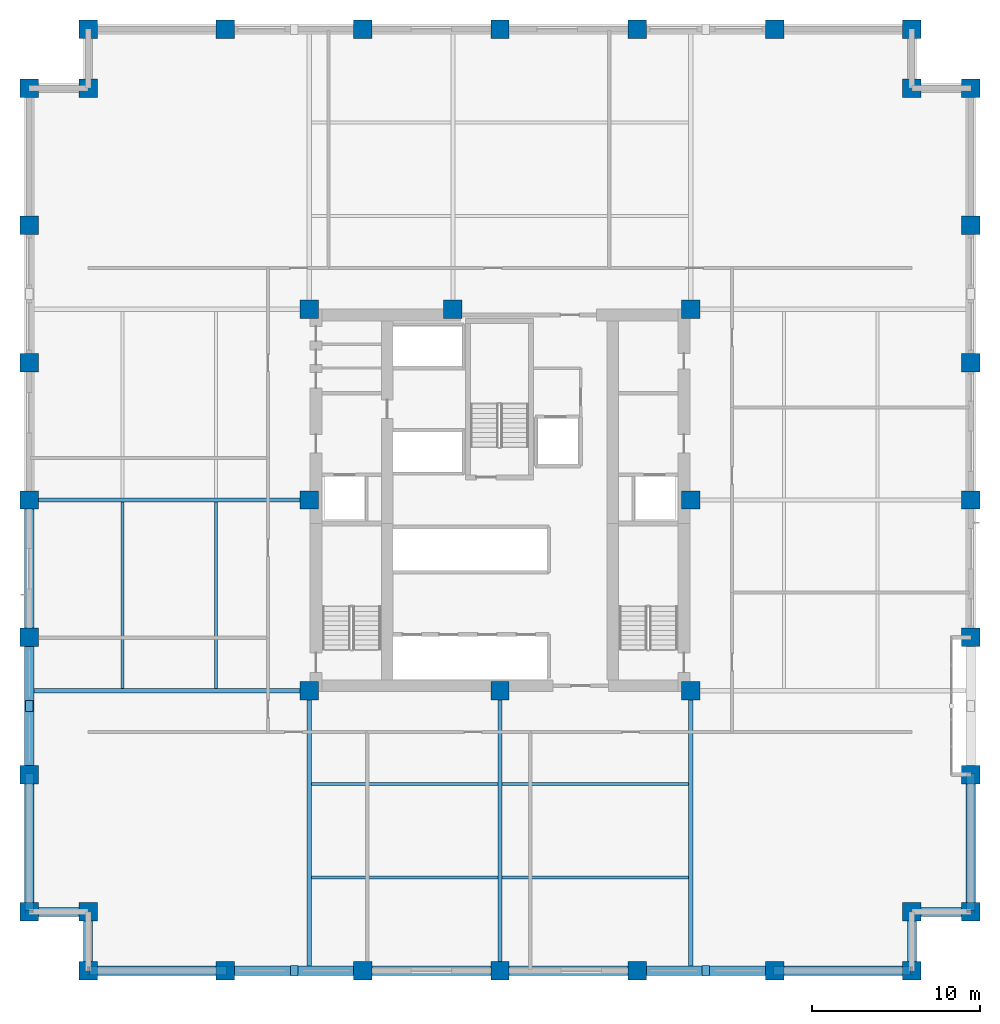
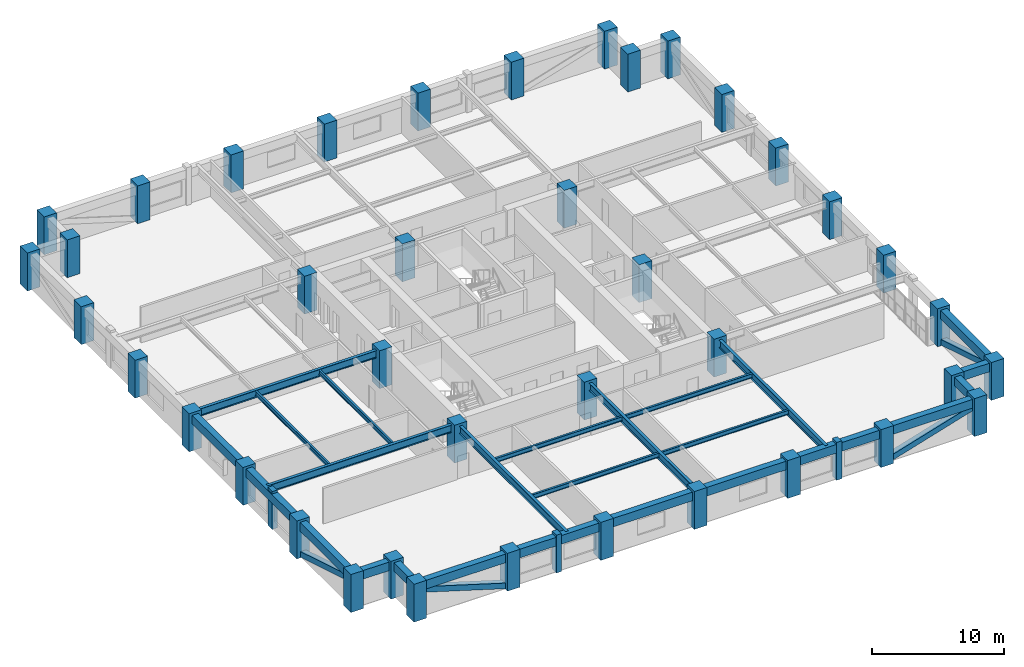
# One storey, part 1 of 13: 40 columns, 25 beams, 7 members.
"""IFC4 building model written with IfcOpenShell, lengths in metres."""

from ifc_helpers import new_model, si_unit, direction, frame, origin, origin_2d, place, context, subcontext, project, spatial, rectangle, hollow_rectangle, i_section, extrude, material, material_profile, profile_set, type_object, element, save


model = new_model("IFC4")

# Units and contexts
model_context = context("Model", 3, precision=1e-05, world=origin(), true_north=direction((0.0, 1.0)))
body_context = subcontext(model_context, "Body", "Model", "MODEL_VIEW")
ifc_project = project(units=[si_unit("LENGTHUNIT", "METRE"), si_unit("AREAUNIT", "SQUARE_METRE"), si_unit("VOLUMEUNIT", "CUBIC_METRE"), si_unit("PLANEANGLEUNIT", "RADIAN"), si_unit("MASSUNIT", "GRAM", prefix="KILO")], contexts=[model_context])

# Site, building, storey
site_placement = place(None, origin())
site = spatial("IfcSite", under=ifc_project, at=site_placement, CompositionType="ELEMENT")
building_placement = place(site_placement, origin())
building = spatial("IfcBuilding", under=site, at=building_placement, Name="Nhamokura Convention Tower", CompositionType="ELEMENT")
storey_placement = place(building_placement, frame((0.0, 0.0, 92.75)))
storey = spatial("IfcBuildingStorey", under=building, at=storey_placement, Name="L22", CompositionType="ELEMENT", Elevation=92.75)

# Columns
ifc_material_1 = material(Name="Concrete C60/75", Category="concrete")
ifc_material_profile_1 = material_profile(ifc_material_1, rectangle(XDim=1.10009765625, YDim=1.10009765625, at=origin_2d()))
ifc_profile_set_1 = profile_set([ifc_material_profile_1], Name="Concrete C60/75")
column_type = type_object("IfcColumnType", Name="TubeColumn_Z1_1100", PredefinedType="COLUMN", material=ifc_profile_set_1)
for number, where, z_axis, x_axis, name in (
    (1, (20.64990234375, 20.64990234375, 0.0), (0.0, 0.0, 1.0), (1.0, 0.0, 0.0), "L22 Core Column CC-SW"),
    (2, (32.0, 20.64990234375, 0.0), (0.0, 0.0, 1.0), (1.0, 0.0, 0.0), "L22 Core Column CC-S"),
    (3, (43.35009765625, 20.64990234375, 0.0), (0.0, 0.0, 1.0), (1.0, 0.0, 0.0), "L22 Core Column CC-SE"),
    (4, (43.35009765625, 32.0, 0.0), (0.0, 0.0, 1.0), (1.0, 0.0, 0.0), "L22 Core Column CC-E"),
    (5, (43.35009765625, 43.35009765625, 0.0), (0.0, 0.0, 1.0), (1.0, 0.0, 0.0), "L22 Core Column CC-NE"),
    (6, (29.199951171875, 43.35009765625, 0.0), (0.0, 0.0, 1.0), (1.0, 0.0, 0.0), "L22 Core Column CC-N"),
    (7, (20.64990234375, 43.35009765625, 0.0), (0.0, 0.0, 1.0), (1.0, 0.0, 0.0), "L22 Core Column CC-NW"),
    (8, (20.64990234375, 32.0, 0.0), (0.0, 0.0, 1.0), (1.0, 0.0, 0.0), "L22 Core Column CC-W"),
    (9, (7.5, 4.0, 0.0), (0.0, 0.0, 1.0), (1.0, 0.0, 0.0), "L22 Perimeter Tube Column SW1"),
    (10, (7.5, 7.5, 0.0), (0.0, 0.0, 1.0), (1.0, 0.0, 0.0), "L22 Perimeter Tube Column SW0"),
    (11, (4.0, 7.5, 0.0), (0.0, 0.0, 1.0), (1.0, 0.0, 0.0), "L22 Perimeter Tube Column SW2"),
    (12, (56.5, 4.0, 0.0), (0.0, 0.0, 1.0), (1.0, 0.0, 0.0), "L22 Perimeter Tube Column SE1"),
    (13, (56.5, 7.5, 0.0), (0.0, 0.0, 1.0), (1.0, 0.0, 0.0), "L22 Perimeter Tube Column SE0"),
    (14, (60.0, 7.5, 0.0), (0.0, 0.0, 1.0), (1.0, 0.0, 0.0), "L22 Perimeter Tube Column SE2"),
    (15, (60.0, 56.5, 0.0), (0.0, 0.0, 1.0), (1.0, 0.0, 0.0), "L22 Perimeter Tube Column NE1"),
    (16, (56.5, 56.5, 0.0), (0.0, 0.0, 1.0), (1.0, 0.0, 0.0), "L22 Perimeter Tube Column NE0"),
    (17, (56.5, 60.0, 0.0), (0.0, 0.0, 1.0), (1.0, 0.0, 0.0), "L22 Perimeter Tube Column NE2"),
    (18, (7.5, 60.0, 0.0), (0.0, 0.0, 1.0), (1.0, 0.0, 0.0), "L22 Perimeter Tube Column NW1"),
    (19, (7.5, 56.5, 0.0), (0.0, 0.0, 1.0), (1.0, 0.0, 0.0), "L22 Perimeter Tube Column NW0"),
    (20, (4.0, 56.5, 0.0), (0.0, 0.0, 1.0), (1.0, 0.0, 0.0), "L22 Perimeter Tube Column NW2"),
    (21, (15.666748046875, 4.0, 0.0), (0.0, 0.0, 1.0), (1.0, 0.0, 0.0), "L22 Perimeter Tube Column S1"),
    (22, (15.666748046875, 60.0, 0.0), (0.0, 0.0, 1.0), (1.0, 0.0, 0.0), "L22 Perimeter Tube Column N1"),
    (23, (4.0, 15.666748046875, 0.0), (0.0, 0.0, 1.0), (1.0, 0.0, 0.0), "L22 Perimeter Tube Column W1"),
    (24, (60.0, 15.666748046875, 0.0), (0.0, 0.0, 1.0), (1.0, 0.0, 0.0), "L22 Perimeter Tube Column E1"),
    (25, (23.833251953125, 4.0, 0.0), (0.0, 0.0, 1.0), (1.0, 0.0, 0.0), "L22 Perimeter Tube Column S2"),
    (26, (23.833251953125, 60.0, 0.0), (0.0, 0.0, 1.0), (1.0, 0.0, 0.0), "L22 Perimeter Tube Column N2"),
    (27, (4.0, 23.833251953125, 0.0), (0.0, 0.0, 1.0), (1.0, 0.0, 0.0), "L22 Perimeter Tube Column W2"),
    (28, (60.0, 23.833251953125, 0.0), (0.0, 0.0, 1.0), (1.0, 0.0, 0.0), "L22 Perimeter Tube Column E2"),
    (29, (32.0, 4.0, 0.0), (0.0, 0.0, 1.0), (1.0, 0.0, 0.0), "L22 Perimeter Tube Column S3"),
    (30, (32.0, 60.0, 0.0), (0.0, 0.0, 1.0), (1.0, 0.0, 0.0), "L22 Perimeter Tube Column N3"),
    (31, (4.0, 32.0, 0.0), (0.0, 0.0, 1.0), (1.0, 0.0, 0.0), "L22 Perimeter Tube Column W3"),
    (32, (60.0, 32.0, 0.0), (0.0, 0.0, 1.0), (1.0, 0.0, 0.0), "L22 Perimeter Tube Column E3"),
    (33, (40.166748046875, 4.0, 0.0), (0.0, 0.0, 1.0), (1.0, 0.0, 0.0), "L22 Perimeter Tube Column S4"),
    (34, (40.166748046875, 60.0, 0.0), (0.0, 0.0, 1.0), (1.0, 0.0, 0.0), "L22 Perimeter Tube Column N4"),
    (35, (4.0, 40.166748046875, 0.0), (0.0, 0.0, 1.0), (1.0, 0.0, 0.0), "L22 Perimeter Tube Column W4"),
    (36, (60.0, 40.166748046875, 0.0), (0.0, 0.0, 1.0), (1.0, 0.0, 0.0), "L22 Perimeter Tube Column E4"),
    (37, (48.333251953125, 4.0, 0.0), (0.0, 0.0, 1.0), (1.0, 0.0, 0.0), "L22 Perimeter Tube Column S5"),
    (38, (48.333251953125, 60.0, 0.0), (0.0, 0.0, 1.0), (1.0, 0.0, 0.0), "L22 Perimeter Tube Column N5"),
    (39, (4.0, 48.333251953125, 0.0), (0.0, 0.0, 1.0), (1.0, 0.0, 0.0), "L22 Perimeter Tube Column W5"),
    (40, (60.0, 48.333251953125, 0.0), (0.0, 0.0, 1.0), (1.0, 0.0, 0.0), "L22 Perimeter Tube Column E5"),
):
    element("IfcColumn", number, at=place(storey_placement, frame(where, z_axis=z_axis, x_axis=x_axis)), inside=storey, type_object=column_type, Name=name, PredefinedType="COLUMN", context=body_context, shape_type="SweptSolid", body=[
        extrude(rectangle(XDim=1.10009765625, YDim=1.10009765625, at=origin_2d()), origin(), (0.0, 0.0, 1.0), 3.5),
    ])

# Members
ifc_material_2 = material(Name="Bronze-pigmented precast concrete C45/55", Category="concrete")
ifc_material_profile_2 = material_profile(ifc_material_2, rectangle(XDim=0.449951171875, YDim=0.64990234375, at=origin_2d()))
ifc_profile_set_2 = profile_set([ifc_material_profile_2], Name="Bronze-pigmented precast concrete C45/55")
member_type_1 = type_object("IfcMemberType", Name="BronzePilaster_650", PredefinedType="USERDEFINED", material=ifc_profile_set_2)
for number, where, z_axis, x_axis, name in (
    (41, (19.75, 4.0, 0.0), (0.0, 0.0, 1.0), (1.0, 0.0, 0.0), "L22 Engaged Frame Pilaster SOUTH 1"),
    (42, (44.25, 4.0, 0.0), (0.0, 0.0, 1.0), (1.0, 0.0, 0.0), "L22 Engaged Frame Pilaster SOUTH 4"),
    (43, (4.0, 19.75, 0.0), (0.0, 0.0, 1.0), (1.0, 0.0, 0.0), "L22 Engaged Frame Pilaster WEST 1"),
):
    element("IfcMember", number, at=place(storey_placement, frame(where, z_axis=z_axis, x_axis=x_axis)), inside=storey, type_object=member_type_1, Name=name, ObjectType="PILASTER_TRIM", PredefinedType="USERDEFINED", context=body_context, shape_type="SweptSolid", body=[
        extrude(rectangle(XDim=0.449951171875, YDim=0.64990234375, at=origin_2d()), origin(), (0.0, 0.0, 1.0), 3.5),
    ])

# Beams
ifc_material_3 = material(Name="Steel ASTM A992 Gr 50", Category="steel")
ifc_material_profile_3 = material_profile(ifc_material_3, i_section(OverallWidth=0.178955078125, OverallDepth=0.409912109375, WebThickness=0.0087890625, FlangeThickness=0.014404296875, at=origin_2d()))
ifc_profile_set_3 = profile_set([ifc_material_profile_3], Name="Steel ASTM A992 Gr 50")
beam_type_1 = type_object("IfcBeamType", Name="FloorJoist_W410X67", PredefinedType="JOIST", material=ifc_profile_set_3)
for number, where, z_axis, x_axis, name in (
    (44, (20.77587890625, 9.550048828125, 3.074951171875), (1.0, 0.0, 0.0), (0.0, 1.0, 0.0), "L22 Composite Floor Joist S1A"),
    (45, (32.1259765625, 9.550048828125, 3.074951171875), (1.0, 0.0, 0.0), (0.0, 1.0, 0.0), "L22 Composite Floor Joist S1B"),
    (46, (20.77587890625, 15.10009765625, 3.074951171875), (1.0, 0.0, 0.0), (0.0, 1.0, 0.0), "L22 Composite Floor Joist S2A"),
    (47, (32.1259765625, 15.10009765625, 3.074951171875), (1.0, 0.0, 0.0), (0.0, 1.0, 0.0), "L22 Composite Floor Joist S2B"),
    (48, (9.550048828125, 20.77587890625, 3.074951171875), (0.0, 1.0, 0.0), (-1.0, 0.0, 0.0), "L22 Composite Floor Joist W1A"),
    (49, (15.10009765625, 20.77587890625, 3.074951171875), (0.0, 1.0, 0.0), (-1.0, 0.0, 0.0), "L22 Composite Floor Joist W2A"),
):
    element("IfcBeam", number, at=place(storey_placement, frame(where, z_axis=z_axis, x_axis=x_axis)), inside=storey, type_object=beam_type_1, Name=name, PredefinedType="JOIST", context=body_context, shape_type="SweptSolid", body=[
        extrude(i_section(OverallWidth=0.178955078125, OverallDepth=0.409912109375, WebThickness=0.0087890625, FlangeThickness=0.014404296875, at=origin_2d()), origin(), (0.0, 0.0, 1.0), 11.09814453125),
    ])
ifc_material_4 = material(Name="Steel ASTM A992 Gr 50", Category="steel")
ifc_material_profile_4 = material_profile(ifc_material_4, i_section(OverallWidth=0.256103515625, OverallDepth=0.693115234375, WebThickness=0.014404296875, FlangeThickness=0.023681640625, at=origin_2d()))
ifc_profile_set_4 = profile_set([ifc_material_profile_4], Name="Steel ASTM A992 Gr 50")
beam_type_2 = type_object("IfcBeamType", Name="PrimaryGirder_W690X170", PredefinedType="BEAM", material=ifc_profile_set_4)
for number, where, z_axis, x_axis, name in (
    (50, (20.64990234375, 4.0, 2.93359375), (0.0, 1.0, 0.0), (-1.0, 0.0, 0.0), "L22 Primary Floor Girder PG-S1"),
    (51, (32.0, 4.0, 2.93359375), (0.0, 1.0, 0.0), (-1.0, 0.0, 0.0), "L22 Primary Floor Girder PG-S2"),
    (52, (43.35009765625, 4.0, 2.93359375), (0.0, 1.0, 0.0), (-1.0, 0.0, 0.0), "L22 Primary Floor Girder PG-S3"),
    (53, (4.0, 20.64990234375, 2.93359375), (1.0, 0.0, 0.0), (0.0, 1.0, 0.0), "L22 Primary Floor Girder PG-W1"),
    (54, (4.0, 32.0, 2.93359375), (1.0, 0.0, 0.0), (0.0, 1.0, 0.0), "L22 Primary Floor Girder PG-W2"),
):
    element("IfcBeam", number, at=place(storey_placement, frame(where, z_axis=z_axis, x_axis=x_axis)), inside=storey, type_object=beam_type_2, Name=name, PredefinedType="BEAM", context=body_context, shape_type="SweptSolid", body=[
        extrude(i_section(OverallWidth=0.256103515625, OverallDepth=0.693115234375, WebThickness=0.014404296875, FlangeThickness=0.023681640625, at=origin_2d()), origin(), (0.0, 0.0, 1.0), 16.64990234375),
    ])

# Members
ifc_material_5 = material(Name="Steel ASTM A572 Gr 50", Category="steel")
ifc_material_profile_5 = material_profile(ifc_material_5, hollow_rectangle(XDim=0.5, YDim=0.5, WallThickness=0.02490234375, at=origin_2d()))
ifc_profile_set_5 = profile_set([ifc_material_profile_5], Name="Steel ASTM A572 Gr 50")
member_type_2 = type_object("IfcMemberType", Name="TubeBrace_HSS500", PredefinedType="BRACE", material=ifc_profile_set_5)
for number, where, z_axis, x_axis, name in (
    (55, (15.666748046875, 4.0, 0.14990234375), (-0.956854874628, 0.0, 0.290566255612), (0.0, -1.0, 0.0), "L22 Perimeter Tube Brace SOUTH Bay 0"),
    (56, (48.333251953125, 4.0, 0.14990234375), (0.956854874628, 0.0, 0.290566255612), (0.0, 1.0, 0.0), "L22 Perimeter Tube Brace SOUTH Bay 5"),
    (57, (4.0, 15.666748046875, 0.14990234375), (0.0, -0.956854874628, 0.290566255612), (1.0, 0.0, 0.0), "L22 Perimeter Tube Brace WEST Bay 0"),
    (58, (60.0, 15.666748046875, 0.14990234375), (0.0, -0.956854874628, 0.290566255612), (1.0, 0.0, 0.0), "L22 Perimeter Tube Brace EAST Bay 0"),
):
    element("IfcMember", number, at=place(storey_placement, frame(where, z_axis=z_axis, x_axis=x_axis)), inside=storey, type_object=member_type_2, Name=name, PredefinedType="BRACE", context=body_context, shape_type="SweptSolid", body=[
        extrude(hollow_rectangle(XDim=0.5, YDim=0.5, WallThickness=0.02490234375, at=origin_2d()), origin(), (0.0, 0.0, 1.0), 8.534912109375),
    ])

# Beams
ifc_material_6 = material(Name="Concrete C50/60", Category="concrete")
ifc_material_profile_6 = material_profile(ifc_material_6, rectangle(XDim=0.550048828125, YDim=0.800048828125, at=origin_2d()))
ifc_profile_set_6 = profile_set([ifc_material_profile_6], Name="Concrete C50/60")
beam_type_3 = type_object("IfcBeamType", Name="TubeSpandrel_800", PredefinedType="SPANDREL", material=ifc_profile_set_6)
beam_1_placement = place(storey_placement, frame((7.5, 4.0, 2.8798828125), z_axis=(1.0, 0.0, 0.0), x_axis=(0.0, 1.0, 0.0)))
element("IfcBeam", 59, at=beam_1_placement, inside=storey, type_object=beam_type_3, Name="L22 Perimeter Spandrel SOUTH 1", PredefinedType="SPANDREL", context=body_context, shape_type="SweptSolid", body=[
    extrude(rectangle(XDim=0.550048828125, YDim=0.800048828125, at=origin_2d()), origin(), (0.0, 0.0, 1.0), 8.166748046875),
])
beam_2_placement = place(storey_placement, frame((15.666748046875, 4.0, 2.8798828125), z_axis=(1.0, 0.0, 0.0), x_axis=(0.0, 1.0, 0.0)))
element("IfcBeam", 60, at=beam_2_placement, inside=storey, type_object=beam_type_3, Name="L22 Perimeter Spandrel SOUTH 2", PredefinedType="SPANDREL", context=body_context, shape_type="SweptSolid", body=[
    extrude(rectangle(XDim=0.550048828125, YDim=0.800048828125, at=origin_2d()), origin(), (0.0, 0.0, 1.0), 8.16650390625),
])
for number, where, z_axis, x_axis, name in (
    (61, (23.833251953125, 4.0, 2.8798828125), (1.0, 0.0, 0.0), (0.0, 1.0, 0.0), "L22 Perimeter Spandrel SOUTH 3"),
    (62, (32.0, 4.0, 2.8798828125), (1.0, 0.0, 0.0), (0.0, 1.0, 0.0), "L22 Perimeter Spandrel SOUTH 4"),
):
    element("IfcBeam", number, at=place(storey_placement, frame(where, z_axis=z_axis, x_axis=x_axis)), inside=storey, type_object=beam_type_3, Name=name, PredefinedType="SPANDREL", context=body_context, shape_type="SweptSolid", body=[
        extrude(rectangle(XDim=0.550048828125, YDim=0.800048828125, at=origin_2d()), origin(), (0.0, 0.0, 1.0), 8.166748046875),
    ])
beam_3_placement = place(storey_placement, frame((40.166748046875, 4.0, 2.8798828125), z_axis=(1.0, 0.0, 0.0), x_axis=(0.0, 1.0, 0.0)))
element("IfcBeam", 63, at=beam_3_placement, inside=storey, type_object=beam_type_3, Name="L22 Perimeter Spandrel SOUTH 5", PredefinedType="SPANDREL", context=body_context, shape_type="SweptSolid", body=[
    extrude(rectangle(XDim=0.550048828125, YDim=0.800048828125, at=origin_2d()), origin(), (0.0, 0.0, 1.0), 8.16650390625),
])
for number, where, z_axis, x_axis, name in (
    (64, (48.333251953125, 4.0, 2.8798828125), (1.0, 0.0, 0.0), (0.0, 1.0, 0.0), "L22 Perimeter Spandrel SOUTH 6"),
    (65, (4.0, 7.5, 2.8798828125), (0.0, 1.0, 0.0), (-1.0, 0.0, 0.0), "L22 Perimeter Spandrel WEST 1"),
):
    element("IfcBeam", number, at=place(storey_placement, frame(where, z_axis=z_axis, x_axis=x_axis)), inside=storey, type_object=beam_type_3, Name=name, PredefinedType="SPANDREL", context=body_context, shape_type="SweptSolid", body=[
        extrude(rectangle(XDim=0.550048828125, YDim=0.800048828125, at=origin_2d()), origin(), (0.0, 0.0, 1.0), 8.166748046875),
    ])
beam_4_placement = place(storey_placement, frame((4.0, 15.666748046875, 2.8798828125), z_axis=(0.0, 1.0, 0.0), x_axis=(-1.0, 0.0, 0.0)))
element("IfcBeam", 66, at=beam_4_placement, inside=storey, type_object=beam_type_3, Name="L22 Perimeter Spandrel WEST 2", PredefinedType="SPANDREL", context=body_context, shape_type="SweptSolid", body=[
    extrude(rectangle(XDim=0.550048828125, YDim=0.800048828125, at=origin_2d()), origin(), (0.0, 0.0, 1.0), 8.16650390625),
])
for number, where, z_axis, x_axis, name in (
    (67, (4.0, 23.833251953125, 2.8798828125), (0.0, 1.0, 0.0), (-1.0, 0.0, 0.0), "L22 Perimeter Spandrel WEST 3"),
    (68, (60.0, 7.5, 2.8798828125), (0.0, 1.0, 0.0), (-1.0, 0.0, 0.0), "L22 Perimeter Spandrel EAST 1"),
):
    element("IfcBeam", number, at=place(storey_placement, frame(where, z_axis=z_axis, x_axis=x_axis)), inside=storey, type_object=beam_type_3, Name=name, PredefinedType="SPANDREL", context=body_context, shape_type="SweptSolid", body=[
        extrude(rectangle(XDim=0.550048828125, YDim=0.800048828125, at=origin_2d()), origin(), (0.0, 0.0, 1.0), 8.166748046875),
    ])
for number, where, z_axis, x_axis, name in (
    (69, (7.5, 4.0, 2.8798828125), (0.0, 1.0, 0.0), (-1.0, 0.0, 0.0), "L22 Notch Spandrel SW1"),
    (70, (7.5, 7.5, 2.8798828125), (-1.0, 0.0, 0.0), (0.0, -1.0, 0.0), "L22 Notch Spandrel SW2"),
    (71, (56.5, 4.0, 2.8798828125), (0.0, 1.0, 0.0), (-1.0, 0.0, 0.0), "L22 Notch Spandrel SE1"),
    (72, (56.5, 7.5, 2.8798828125), (1.0, 0.0, 0.0), (0.0, 1.0, 0.0), "L22 Notch Spandrel SE2"),
):
    element("IfcBeam", number, at=place(storey_placement, frame(where, z_axis=z_axis, x_axis=x_axis)), inside=storey, type_object=beam_type_3, Name=name, PredefinedType="SPANDREL", context=body_context, shape_type="SweptSolid", body=[
        extrude(rectangle(XDim=0.550048828125, YDim=0.800048828125, at=origin_2d()), origin(), (0.0, 0.0, 1.0), 3.5),
    ])

save(model, "model.ifc")
